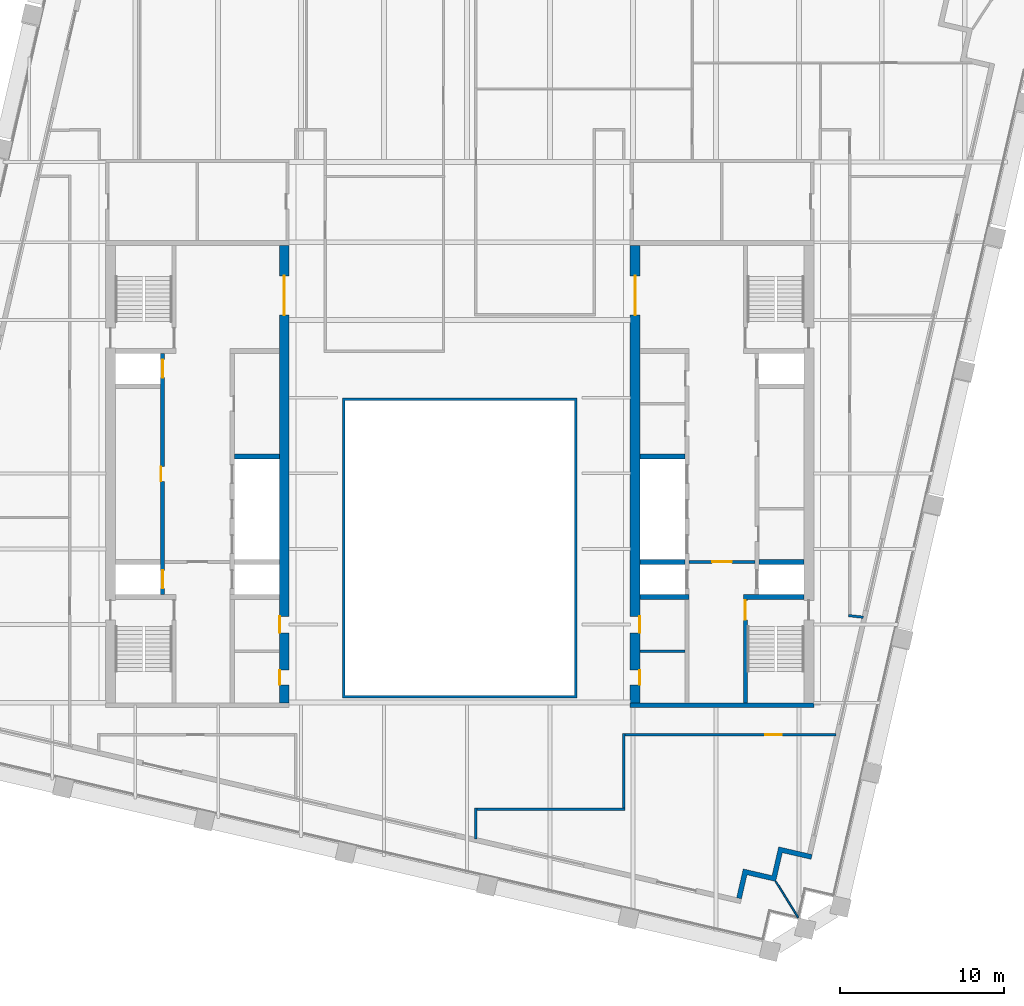
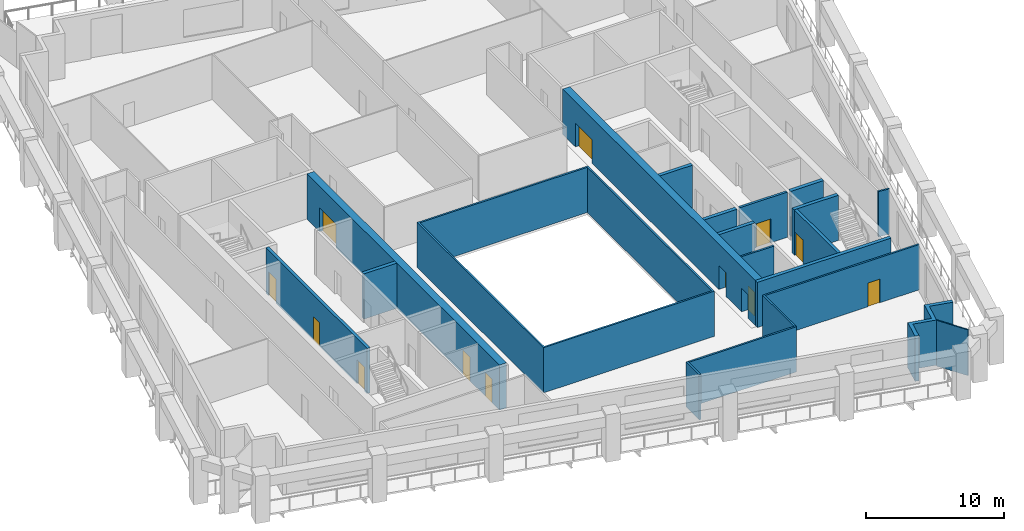
# One storey, part 4 of 10: 21 walls, 12 doors, 12 openings.
"""IFC4 building model written with IfcOpenShell, lengths in metres."""

from ifc_helpers import new_model, si_unit, direction, frame, frame_2d, origin, place, context, subcontext, project, spatial, polyline, rectangle, outline, extrude, material, layer, layer_set, type_object, element, fill, save


model = new_model("IFC4")

# Units and contexts
model_context = context("Model", 3, precision=1e-05, world=origin(), true_north=direction((0.0, 1.0)))
body_context = subcontext(model_context, "Body", "Model", "MODEL_VIEW")
ifc_project = project(units=[si_unit("LENGTHUNIT", "METRE"), si_unit("AREAUNIT", "SQUARE_METRE"), si_unit("VOLUMEUNIT", "CUBIC_METRE"), si_unit("PLANEANGLEUNIT", "RADIAN"), si_unit("MASSUNIT", "GRAM", prefix="KILO")], contexts=[model_context])

# Site, building, storey
site_placement = place(None, origin())
site = spatial("IfcSite", under=ifc_project, at=site_placement, CompositionType="ELEMENT")
building_placement = place(site_placement, origin())
building = spatial("IfcBuilding", under=site, at=building_placement, Name="Ogive Exchange Tower", CompositionType="ELEMENT")
storey_placement = place(building_placement, frame((0.0, 0.0, 280.800048828125)))
storey = spatial("IfcBuildingStorey", under=building, at=storey_placement, Name="L61", CompositionType="ELEMENT", Elevation=280.800048828125)

# Walls
ifc_material_1 = material(Name="Gypsum board partition")
ifc_layer_1 = layer(ifc_material_1, 0.14990234375)
ifc_layer_set_1 = layer_set([ifc_layer_1], Name="Core room partition 150 gypsum")
wall_type_1 = type_object("IfcWallType", Name="Core room partition 150 gypsum", PredefinedType="PARTITIONING", material=ifc_layer_set_1)
wall_1_placement = place(storey_placement, frame((11.0, 0.699951171875, 0.0), z_axis=(0.0, 0.0, 1.0), x_axis=(1.0, 0.0, 0.0)))
element("IfcWall", 1, at=wall_1_placement, inside=storey, type_object=wall_type_1, Name="E south room partition", PredefinedType="PARTITIONING", context=body_context, shape_type="SweptSolid", body=[
    extrude(rectangle(XDim=2.75, YDim=0.14990234375, at=frame_2d((1.375, 0.0))), origin(), (0.0, 0.0, 1.0), 4.0),
])
ifc_material_2 = material(Name="Fire partition EI 60 150")
ifc_layer_2 = layer(ifc_material_2, 0.14990234375)
ifc_layer_set_2 = layer_set([ifc_layer_2], Name="Fire partition EI 60 150")
wall_type_2 = type_object("IfcWallType", Name="Fire partition EI 60 150", PredefinedType="PARTITIONING", material=ifc_layer_set_2)
wall_2_placement = place(storey_placement, frame((0.989990234375, -8.864990234375, 0.0), z_axis=(0.0, 0.0, 1.0), x_axis=(0.0, -1.0, 0.0)))
element("IfcWall", 2, at=wall_2_placement, inside=storey, type_object=wall_type_2, Name="L61-PWL-027", PredefinedType="PARTITIONING", context=body_context, shape_type="SweptSolid", body=[
    extrude(rectangle(XDim=1.887939453125, YDim=0.14990234375, at=frame_2d((0.94384765625, 0.0))), origin(), (0.0, 0.0, 1.0), 4.0),
])
wall_3_placement = place(storey_placement, frame((10.074951171875, -8.93994140625, 0.0), z_axis=(0.0, 0.0, 1.0), x_axis=(-1.0, 0.0, 0.0)))
element("IfcWall", 3, at=wall_3_placement, inside=storey, type_object=wall_type_2, Name="L61-PWL-033", PredefinedType="PARTITIONING", context=body_context, shape_type="SweptSolid", body=[
    extrude(rectangle(XDim=9.010009765625, YDim=0.14990234375, at=frame_2d((4.5048828125, 0.0))), origin(), (0.0, 0.0, 1.0), 4.0),
])
wall_4_placement = place(storey_placement, frame((10.0, -4.324951171875, 0.0), z_axis=(0.0, 0.0, 1.0), x_axis=(0.0, -1.0, 0.0)))
element("IfcWall", 4, at=wall_4_placement, inside=storey, type_object=wall_type_2, Name="L61-PWL-034", PredefinedType="PARTITIONING", context=body_context, shape_type="SweptSolid", body=[
    extrude(rectangle(XDim=4.5400390625, YDim=0.14990234375, at=frame_2d((2.27001953125, 0.0))), origin(), (0.0, 0.0, 1.0), 4.0),
])

# Wall, opening, door
wall_5_placement = place(storey_placement, frame((22.968017578125, -4.39990234375, 0.0), z_axis=(0.0, 0.0, 1.0), x_axis=(-1.0, 0.0, 0.0)))
wall_5 = element("IfcWall", 5, at=wall_5_placement, inside=storey, type_object=wall_type_2, Name="L61-PWL-045", PredefinedType="PARTITIONING", context=body_context, shape_type="SweptSolid", body=[
    extrude(rectangle(XDim=12.89306640625, YDim=0.14990234375, at=frame_2d((6.446533203125, 0.0))), origin(), (0.0, 0.0, 1.0), 4.0),
])
opening_1_placement = place(wall_5_placement, frame((3.318115234375, 0.0, 0.0)))
opening_1 = element("IfcOpeningElement", 6, at=opening_1_placement, cuts=wall_5, Name="Opening L61-I01", PredefinedType="OPENING", context=body_context, shape_type="SweptSolid", body=[
    extrude(rectangle(XDim=1.0, YDim=2.10009765625, at=frame_2d((0.5, 1.050048828125))), frame((0.0, 0.0849609375, 0.0), z_axis=(0.0, -1.0, 0.0), x_axis=(1.0, 0.0, 0.0)), (0.0, 0.0, 1.0), 0.169921875),
])
ifc_material_3 = material(Name="Fire door FD 30S 1000 x 2100")
door_type_1 = type_object("IfcDoorType", Name="Fire door FD 30S 1000 x 2100", OperationType="NOTDEFINED", PredefinedType="DOOR", material=ifc_material_3)
door_1_placement = place(opening_1_placement, origin())
door_1 = element("IfcDoor", 7, at=door_1_placement, inside=storey, type_object=door_type_1, Name="L61-IDR-001", ObjectType="DT3", OperationType="SINGLE_SWING_RIGHT", OverallHeight=2.10009765625, OverallWidth=1.0, PredefinedType="DOOR", context=body_context, shape_type="SweptSolid", body=[
    extrude(rectangle(XDim=1.0, YDim=2.10009765625, at=frame_2d((0.5, 1.050048828125))), frame((0.0, 0.02490234375, 0.0), z_axis=(0.0, -1.0, 0.0), x_axis=(1.0, 0.0, 0.0)), (0.0, 0.0, 1.0), 0.050048828125),
])
fill(opening_1, door_1)

# Walls
wall_6_placement = place(storey_placement, frame((23.72509765625, 2.868896484375, 0.0), z_axis=(0.0, 0.0, 1.0), x_axis=(0.993330469257, -0.115302119865, 0.0)))
element("IfcWall", 8, at=wall_6_placement, inside=storey, type_object=wall_type_2, Name="L61-PWL-046", PredefinedType="PARTITIONING", context=body_context, shape_type="SweptSolid", body=[
    extrude(rectangle(XDim=0.902099609375, YDim=0.14990234375, at=frame_2d((0.451171875, 0.0))), origin(), (0.0, 0.0, 1.0), 4.0),
])
ifc_material_4 = material(Name="Fire-resisting glass in steel frame", Category="steel")
ifc_layer_3 = layer(ifc_material_4, 0.14990234375)
ifc_layer_set_3 = layer_set([ifc_layer_3], Name="Fire-rated glazed wall 150")
wall_type_3 = type_object("IfcWallType", Name="Fire-rated glazed wall 150", PredefinedType="STANDARD", material=ifc_layer_set_3)
wall_7_placement = place(storey_placement, origin())
element("IfcWall", 9, at=wall_7_placement, inside=storey, type_object=wall_type_3, Name="Nave enclosure wall", PredefinedType="STANDARD", context=body_context, shape_type="SweptSolid", body=[
    extrude(outline(polyline([(-7.14990234375, -2.14990234375), (7.14990234375, -2.14990234375), (7.14990234375, 16.14990234375), (-7.14990234375, 16.14990234375), (-7.14990234375, -2.14990234375)]), holes=[polyline([(-7.0, -2.0), (-7.0, 16.0), (7.0, 16.0), (7.0, -2.0), (-7.0, -2.0)])]), origin(), (0.0, 0.0, 1.0), 4.0),
])
ifc_material_5 = material(Name="Precast concrete C40/50", Category="concrete")
ifc_layer_4 = layer(ifc_material_5, 0.300048828125)
ifc_layer_set_4 = layer_set([ifc_layer_4], Name="Limestone-faced wall 300")
wall_type_4 = type_object("IfcWallType", Name="Limestone-faced wall 300", PredefinedType="STANDARD", material=ifc_layer_set_4)
wall_8_placement = place(storey_placement, origin())
element("IfcWall", 10, at=wall_8_placement, inside=storey, type_object=wall_type_4, Name="External corner wall C1", PredefinedType="STANDARD", context=body_context, shape_type="SweptSolid", body=[
    extrude(outline(polyline([(19.053955078125, -12.993408203125), (19.458740234375, -11.239501953125), (21.5048828125, -11.7119140625), (21.4375, -12.004150390625), (19.68359375, -11.599365234375), (19.27880859375, -13.353271484375), (17.52490234375, -12.9482421875), (17.1875, -14.409912109375), (16.89501953125, -14.34228515625), (17.300048828125, -12.58837890625), (19.053955078125, -12.993408203125)])), origin(), (0.0, 0.0, 1.0), 4.0),
])
ifc_material_6 = material(Name="Laminated safety glass in steel frame", Category="steel")
ifc_layer_5 = layer(ifc_material_6, 0.10009765625)
ifc_layer_set_5 = layer_set([ifc_layer_5], Name="Loggia end screen 100")
wall_type_5 = type_object("IfcWallType", Name="Loggia end screen 100", PredefinedType="STANDARD", material=ifc_layer_set_5)
wall_9_placement = place(storey_placement, frame((19.27880859375, -13.353271484375, -0.050048828125), z_axis=(0.0, 0.0, 1.0), x_axis=(0.529914407191, -0.848051131154, 0.0)))
element("IfcWall", 11, at=wall_9_placement, inside=storey, type_object=wall_type_5, Name="Loggia end screen C1", PredefinedType="STANDARD", context=body_context, shape_type="SweptSolid", body=[
    extrude(rectangle(XDim=2.59619140625, YDim=0.10009765625, at=frame_2d((1.298095703125, 0.0))), origin(), (0.0, 0.0, 1.0), 4.050048828125),
])

# Wall, opening, door
ifc_material_7 = material(Name="Concrete C70/85", Category="concrete")
ifc_layer_6 = layer(ifc_material_7, 0.199951171875)
ifc_layer_set_6 = layer_set([ifc_layer_6], Name="RC core wall 200 C70/85")
wall_type_6 = type_object("IfcWallType", Name="RC core wall 200 C70/85", PredefinedType="SHEAR", material=ifc_layer_set_6)
wall_10_placement = place(storey_placement, frame((14.0, 6.142822265625, 0.0), z_axis=(0.0, 0.0, 1.0), x_axis=(1.0, 0.0, 0.0)))
wall_10 = element("IfcWall", 12, at=wall_10_placement, inside=storey, type_object=wall_type_6, Name="E firefighting lobby wall", PredefinedType="SHEAR", context=body_context, shape_type="SweptSolid", body=[
    extrude(rectangle(XDim=4.0, YDim=0.199951171875, at=frame_2d((2.0, 0.0))), origin(), (0.0, 0.0, 1.0), 4.0),
])
opening_2_placement = place(wall_10_placement, frame((1.39990234375, 0.0, 0.0)))
opening_2 = element("IfcOpeningElement", 13, at=opening_2_placement, cuts=wall_10, Name="Opening L61-C29", PredefinedType="OPENING", context=body_context, shape_type="SweptSolid", body=[
    extrude(rectangle(XDim=1.199951171875, YDim=2.10009765625, at=frame_2d((0.60009765625, 1.050048828125))), frame((0.0, 0.10986328125, 0.0), z_axis=(0.0, -1.0, 0.0), x_axis=(1.0, 0.0, 0.0)), (0.0, 0.0, 1.0), 0.219970703125),
])
ifc_material_8 = material(Name="Steel fire door", Category="steel")
door_type_2 = type_object("IfcDoorType", Name="Firefighting lobby door FD60 1200 x 2100", OperationType="NOTDEFINED", PredefinedType="DOOR", material=ifc_material_8)
door_2_placement = place(opening_2_placement, frame((1.199951171875, 0.0, 0.0), z_axis=(0.0, 0.0, 1.0), x_axis=(-1.0, 0.0, 0.0)))
door_2 = element("IfcDoor", 14, at=door_2_placement, inside=storey, type_object=door_type_2, Name="Firefighting lobby door", ObjectType="CD3", OperationType="SINGLE_SWING_LEFT", OverallHeight=2.10009765625, OverallWidth=1.199951171875, PredefinedType="DOOR", context=body_context, shape_type="SweptSolid", body=[
    extrude(rectangle(XDim=1.199951171875, YDim=2.10009765625, at=frame_2d((0.60009765625, 1.050048828125))), frame((0.0, 0.02490234375, 0.0), z_axis=(0.0, -1.0, 0.0), x_axis=(1.0, 0.0, 0.0)), (0.0, 0.0, 1.0), 0.050048828125),
])
fill(opening_2, door_2)

# Wall, openings, doors
ifc_layer_7 = layer(ifc_material_7, 0.25)
ifc_layer_set_7 = layer_set([ifc_layer_7], Name="RC core wall 250 C70/85")
wall_type_7 = type_object("IfcWallType", Name="RC core wall 250 C70/85", PredefinedType="SHEAR", material=ifc_layer_set_7)
wall_11_placement = place(storey_placement, frame((-18.125, 4.14990234375, 0.0), z_axis=(0.0, 0.0, 1.0), x_axis=(0.0, 1.0, 0.0)))
wall_11 = element("IfcWall", 15, at=wall_11_placement, inside=storey, type_object=wall_type_7, Name="W row A front wall", PredefinedType="SHEAR", context=body_context, shape_type="SweptSolid", body=[
    extrude(rectangle(XDim=14.7001953125, YDim=0.25, at=frame_2d((7.35009765625, 0.0))), origin(), (0.0, 0.0, 1.0), 4.0),
])
opening_3_placement = place(wall_11_placement, frame((6.89990234375, 0.0, 0.0)))
opening_3 = element("IfcOpeningElement", 16, at=opening_3_placement, cuts=wall_11, Name="Opening L61-C01", PredefinedType="OPENING", context=body_context, shape_type="SweptSolid", body=[
    extrude(rectangle(XDim=0.89990234375, YDim=2.10009765625, at=frame_2d((0.449951171875, 1.050048828125))), frame((0.0, 0.135009765625, 0.0), z_axis=(0.0, -1.0, 0.0), x_axis=(1.0, 0.0, 0.0)), (0.0, 0.0, 1.0), 0.27001953125),
])
opening_4_placement = place(wall_11_placement, frame((0.371337890625, 0.0, 0.0)))
opening_4 = element("IfcOpeningElement", 17, at=opening_4_placement, cuts=wall_11, Name="Opening L61-C02", PredefinedType="OPENING", context=body_context, shape_type="SweptSolid", body=[
    extrude(rectangle(XDim=1.10009765625, YDim=2.10009765625, at=frame_2d((0.550048828125, 1.050048828125))), frame((0.0, 0.135009765625, 0.0), z_axis=(0.0, -1.0, 0.0), x_axis=(1.0, 0.0, 0.0)), (0.0, 0.0, 1.0), 0.27001953125),
])
opening_5_placement = place(wall_11_placement, frame((13.228515625, 0.0, 0.0)))
opening_5 = element("IfcOpeningElement", 18, at=opening_5_placement, cuts=wall_11, Name="Opening L61-C03", PredefinedType="OPENING", context=body_context, shape_type="SweptSolid", body=[
    extrude(rectangle(XDim=1.10009765625, YDim=2.10009765625, at=frame_2d((0.550048828125, 1.050048828125))), frame((0.0, 0.135009765625, 0.0), z_axis=(0.0, -1.0, 0.0), x_axis=(1.0, 0.0, 0.0)), (0.0, 0.0, 1.0), 0.27001953125),
])
ifc_material_9 = material(Name="Timber fire door", Category="wood")
door_type_3 = type_object("IfcDoorType", Name="Core room door FD30S 900 x 2100", OperationType="NOTDEFINED", PredefinedType="DOOR", material=ifc_material_9)
door_3_placement = place(opening_3_placement, origin())
door_3 = element("IfcDoor", 19, at=door_3_placement, inside=storey, type_object=door_type_3, Name="Core room door", ObjectType="CD6", OperationType="SINGLE_SWING_RIGHT", OverallHeight=2.10009765625, OverallWidth=0.89990234375, PredefinedType="DOOR", context=body_context, shape_type="SweptSolid", body=[
    extrude(rectangle(XDim=0.89990234375, YDim=2.10009765625, at=frame_2d((0.449951171875, 1.050048828125))), frame((0.0, 0.125, 0.0), z_axis=(0.0, -1.0, 0.0), x_axis=(1.0, 0.0, 0.0)), (0.0, 0.0, 1.0), 0.050048828125),
])
fill(opening_3, door_3)
ifc_material_10 = material(Name="Stainless steel", Category="steel")
door_type_4 = type_object("IfcDoorType", Name="Lift landing door FD90 1100 x 2100", OperationType="SLIDING_TO_LEFT", PredefinedType="DOOR", material=ifc_material_10)
door_4_placement = place(opening_4_placement, origin())
door_4 = element("IfcDoor", 20, at=door_4_placement, inside=storey, type_object=door_type_4, Name="Lift landing door FF1", ObjectType="LD", OperationType="SLIDING_TO_LEFT", OverallHeight=2.10009765625, OverallWidth=1.10009765625, PredefinedType="DOOR", context=body_context, shape_type="SweptSolid", body=[
    extrude(rectangle(XDim=1.10009765625, YDim=2.10009765625, at=frame_2d((0.550048828125, 1.050048828125))), frame((0.0, 0.02490234375, 0.0), z_axis=(0.0, -1.0, 0.0), x_axis=(1.0, 0.0, 0.0)), (0.0, 0.0, 1.0), 0.050048828125),
])
fill(opening_4, door_4)
door_5_placement = place(opening_5_placement, origin())
door_5 = element("IfcDoor", 21, at=door_5_placement, inside=storey, type_object=door_type_4, Name="Lift landing door W-SH2", ObjectType="LD", OperationType="SLIDING_TO_LEFT", OverallHeight=2.10009765625, OverallWidth=1.10009765625, PredefinedType="DOOR", context=body_context, shape_type="SweptSolid", body=[
    extrude(rectangle(XDim=1.10009765625, YDim=2.10009765625, at=frame_2d((0.550048828125, 1.050048828125))), frame((0.0, 0.02490234375, 0.0), z_axis=(0.0, -1.0, 0.0), x_axis=(1.0, 0.0, 0.0)), (0.0, 0.0, 1.0), 0.050048828125),
])
fill(opening_5, door_5)

# Wall, opening, door
wall_12_placement = place(storey_placement, frame((17.425048828125, -2.449951171875, 0.0), z_axis=(0.0, 0.0, 1.0), x_axis=(0.0, 1.0, 0.0)))
wall_12 = element("IfcWall", 22, at=wall_12_placement, inside=storey, type_object=wall_type_7, Name="E stair S front wall", PredefinedType="SHEAR", context=body_context, shape_type="SweptSolid", body=[
    extrude(rectangle(XDim=6.300048828125, YDim=0.25, at=frame_2d((3.14990234375, 0.0))), origin(), (0.0, 0.0, 1.0), 4.0),
])
opening_6_placement = place(wall_12_placement, frame((5.050048828125, 0.0, 0.0)))
opening_6 = element("IfcOpeningElement", 23, at=opening_6_placement, cuts=wall_12, Name="Opening L61-C31", PredefinedType="OPENING", context=body_context, shape_type="SweptSolid", body=[
    extrude(rectangle(XDim=1.199951171875, YDim=2.10009765625, at=frame_2d((0.60009765625, 1.050048828125))), frame((0.0, 0.135009765625, 0.0), z_axis=(0.0, -1.0, 0.0), x_axis=(1.0, 0.0, 0.0)), (0.0, 0.0, 1.0), 0.27001953125),
])
door_type_5 = type_object("IfcDoorType", Name="Stair door FD90 1200 x 2100", OperationType="NOTDEFINED", PredefinedType="DOOR", material=ifc_material_8)
door_6_placement = place(opening_6_placement, frame((1.199951171875, 0.0, 0.0), z_axis=(0.0, 0.0, 1.0), x_axis=(-1.0, 0.0, 0.0)))
door_6 = element("IfcDoor", 24, at=door_6_placement, inside=storey, type_object=door_type_5, Name="Stair door", ObjectType="CD5", OperationType="SINGLE_SWING_RIGHT", OverallHeight=2.10009765625, OverallWidth=1.199951171875, PredefinedType="DOOR", context=body_context, shape_type="SweptSolid", body=[
    extrude(rectangle(XDim=1.199951171875, YDim=2.10009765625, at=frame_2d((0.60009765625, 1.050048828125))), frame((0.0, 0.02490234375, 0.0), z_axis=(0.0, -1.0, 0.0), x_axis=(1.0, 0.0, 0.0)), (0.0, 0.0, 1.0), 0.050048828125),
])
fill(opening_6, door_6)

# Walls
ifc_layer_8 = layer(ifc_material_7, 0.300048828125)
ifc_layer_set_8 = layer_set([ifc_layer_8], Name="RC core wall 300 C70/85")
wall_type_8 = type_object("IfcWallType", Name="RC core wall 300 C70/85", PredefinedType="SHEAR", material=ifc_layer_set_8)
wall_13_placement = place(storey_placement, frame((-13.75, 12.5712890625, 0.0), z_axis=(0.0, 0.0, 1.0), x_axis=(1.0, 0.0, 0.0)))
element("IfcWall", 25, at=wall_13_placement, inside=storey, type_object=wall_type_8, Name="W row B divider 4", PredefinedType="SHEAR", context=body_context, shape_type="SweptSolid", body=[
    extrude(rectangle(XDim=2.75, YDim=0.300048828125, at=frame_2d((1.375, 0.0))), origin(), (0.0, 0.0, 1.0), 4.0),
])
wall_14_placement = place(storey_placement, frame((10.39990234375, -2.60009765625, 0.0), z_axis=(0.0, 0.0, 1.0), x_axis=(1.0, 0.0, 0.0)))
element("IfcWall", 26, at=wall_14_placement, inside=storey, type_object=wall_type_8, Name="E south end wall", PredefinedType="SHEAR", context=body_context, shape_type="SweptSolid", body=[
    extrude(rectangle(XDim=11.2001953125, YDim=0.300048828125, at=frame_2d((5.60009765625, 0.0))), origin(), (0.0, 0.0, 1.0), 4.0),
])
wall_15_placement = place(storey_placement, frame((17.300048828125, 4.0, 0.0), z_axis=(0.0, 0.0, 1.0), x_axis=(1.0, 0.0, 0.0)))
element("IfcWall", 27, at=wall_15_placement, inside=storey, type_object=wall_type_8, Name="E stair S north wall", PredefinedType="SHEAR", context=body_context, shape_type="SweptSolid", body=[
    extrude(rectangle(XDim=3.699951171875, YDim=0.300048828125, at=frame_2d((1.85009765625, 0.0))), origin(), (0.0, 0.0, 1.0), 4.0),
])
wall_16_placement = place(storey_placement, frame((18.25, 6.142822265625, 0.0), z_axis=(0.0, 0.0, 1.0), x_axis=(1.0, 0.0, 0.0)))
element("IfcWall", 28, at=wall_16_placement, inside=storey, type_object=wall_type_8, Name="E row A divider 1", PredefinedType="SHEAR", context=body_context, shape_type="SweptSolid", body=[
    extrude(rectangle(XDim=2.75, YDim=0.300048828125, at=frame_2d((1.375, 0.0))), origin(), (0.0, 0.0, 1.0), 4.0),
])
wall_17_placement = place(storey_placement, frame((11.0, 4.0, 0.0), z_axis=(0.0, 0.0, 1.0), x_axis=(1.0, 0.0, 0.0)))
element("IfcWall", 29, at=wall_17_placement, inside=storey, type_object=wall_type_8, Name="E row B divider 0", PredefinedType="SHEAR", context=body_context, shape_type="SweptSolid", body=[
    extrude(rectangle(XDim=3.0, YDim=0.300048828125, at=frame_2d((1.5, 0.0))), origin(), (0.0, 0.0, 1.0), 4.0),
])
for number, where, z_axis, x_axis, name in (
    (30, (11.0, 6.142822265625, 0.0), (0.0, 0.0, 1.0), (1.0, 0.0, 0.0), "E row B divider 1"),
    (31, (11.0, 12.5712890625, 0.0), (0.0, 0.0, 1.0), (1.0, 0.0, 0.0), "E row B divider 4"),
):
    element("IfcWall", number, at=place(storey_placement, frame(where, z_axis=z_axis, x_axis=x_axis)), inside=storey, type_object=wall_type_8, Name=name, PredefinedType="SHEAR", context=body_context, shape_type="SweptSolid", body=[
        extrude(rectangle(XDim=2.75, YDim=0.300048828125, at=frame_2d((1.375, 0.0))), origin(), (0.0, 0.0, 1.0), 4.0),
    ])

# Wall, openings, doors
ifc_layer_9 = layer(ifc_material_7, 0.60009765625)
ifc_layer_set_9 = layer_set([ifc_layer_9], Name="RC core wall 600 C70/85")
wall_type_9 = type_object("IfcWallType", Name="RC core wall 600 C70/85", PredefinedType="SHEAR", material=ifc_layer_set_9)
wall_18_placement = place(storey_placement, frame((-10.699951171875, -2.449951171875, 0.0), z_axis=(0.0, 0.0, 1.0), x_axis=(0.0, 1.0, 0.0)))
wall_18 = element("IfcWall", 32, at=wall_18_placement, inside=storey, type_object=wall_type_9, Name="W inner wall", PredefinedType="SHEAR", context=body_context, shape_type="SweptSolid", body=[
    extrude(rectangle(XDim=27.89990234375, YDim=0.60009765625, at=frame_2d((13.949951171875, 0.0))), origin(), (0.0, 0.0, 1.0), 4.0),
])
opening_7_placement = place(wall_18_placement, frame((23.64990234375, 0.0, 0.0)))
opening_7 = element("IfcOpeningElement", 33, at=opening_7_placement, cuts=wall_18, Name="Opening L61-C10", PredefinedType="OPENING", context=body_context, shape_type="SweptSolid", body=[
    extrude(rectangle(XDim=2.39990234375, YDim=2.10009765625, at=frame_2d((1.199951171875, 1.050048828125))), frame((0.0, 0.31005859375, 0.0), z_axis=(0.0, -1.0, 0.0), x_axis=(1.0, 0.0, 0.0)), (0.0, 0.0, 1.0), 0.6201171875),
])
opening_8_placement = place(wall_18_placement, frame((1.08740234375, 0.0, 0.0)))
opening_8 = element("IfcOpeningElement", 34, at=opening_8_placement, cuts=wall_18, Name="Opening L61-C15", PredefinedType="OPENING", context=body_context, shape_type="SweptSolid", body=[
    extrude(rectangle(XDim=0.89990234375, YDim=2.10009765625, at=frame_2d((0.449951171875, 1.050048828125))), frame((0.0, 0.31005859375, 0.0), z_axis=(0.0, -1.0, 0.0), x_axis=(1.0, 0.0, 0.0)), (0.0, 0.0, 1.0), 0.6201171875),
])
opening_9_placement = place(wall_18_placement, frame((4.262451171875, 0.0, 0.0)))
opening_9 = element("IfcOpeningElement", 35, at=opening_9_placement, cuts=wall_18, Name="Opening L61-C16", PredefinedType="OPENING", context=body_context, shape_type="SweptSolid", body=[
    extrude(rectangle(XDim=1.0, YDim=2.10009765625, at=frame_2d((0.5, 1.050048828125))), frame((0.0, 0.31005859375, 0.0), z_axis=(0.0, -1.0, 0.0), x_axis=(1.0, 0.0, 0.0)), (0.0, 0.0, 1.0), 0.6201171875),
])
door_type_6 = type_object("IfcDoorType", Name="Accessible WC door FD30S 1000 x 2100", OperationType="NOTDEFINED", PredefinedType="DOOR", material=ifc_material_9)
door_7_placement = place(opening_9_placement, frame((1.0, 0.5498046875, 0.0), z_axis=(0.0, 0.0, 1.0), x_axis=(-1.0, 0.0, 0.0)))
door_7 = element("IfcDoor", 36, at=door_7_placement, inside=storey, type_object=door_type_6, Name="Accessible WC door", ObjectType="CD7", OperationType="SINGLE_SWING_LEFT", OverallHeight=2.10009765625, OverallWidth=1.0, PredefinedType="DOOR", context=body_context, shape_type="SweptSolid", body=[
    extrude(rectangle(XDim=1.0, YDim=2.10009765625, at=frame_2d((0.5, 1.050048828125))), frame((0.0, 0.2998046875, 0.0), z_axis=(0.0, -1.0, 0.0), x_axis=(1.0, 0.0, 0.0)), (0.0, 0.0, 1.0), 0.050048828125),
])
fill(opening_9, door_7)
door_8_placement = place(opening_8_placement, frame((0.89990234375, 0.5498046875, 0.0), z_axis=(0.0, 0.0, 1.0), x_axis=(-1.0, 0.0, 0.0)))
door_8 = element("IfcDoor", 37, at=door_8_placement, inside=storey, type_object=door_type_3, Name="Core room door", ObjectType="CD6", OperationType="SINGLE_SWING_LEFT", OverallHeight=2.10009765625, OverallWidth=0.89990234375, PredefinedType="DOOR", context=body_context, shape_type="SweptSolid", body=[
    extrude(rectangle(XDim=0.89990234375, YDim=2.10009765625, at=frame_2d((0.449951171875, 1.050048828125))), frame((0.0, 0.2998046875, 0.0), z_axis=(0.0, -1.0, 0.0), x_axis=(1.0, 0.0, 0.0)), (0.0, 0.0, 1.0), 0.050048828125),
])
fill(opening_8, door_8)
ifc_material_11 = material(Name="Glazed steel fire door", Category="steel")
door_type_7 = type_object("IfcDoorType", Name="Lift lobby double door FD60 2400 x 2100", OperationType="DOUBLE_DOOR_SINGLE_SWING", PredefinedType="DOOR", material=ifc_material_11)
door_9_placement = place(opening_7_placement, frame((2.39990234375, 0.0, 0.0), z_axis=(0.0, 0.0, 1.0), x_axis=(-1.0, 0.0, 0.0)))
door_9 = element("IfcDoor", 38, at=door_9_placement, inside=storey, type_object=door_type_7, Name="Lift lobby double door", ObjectType="CD4", OperationType="DOUBLE_DOOR_SINGLE_SWING", OverallHeight=2.10009765625, OverallWidth=2.39990234375, PredefinedType="DOOR", context=body_context, shape_type="SweptSolid", body=[
    extrude(rectangle(XDim=2.39990234375, YDim=2.10009765625, at=frame_2d((1.199951171875, 1.050048828125))), frame((0.0, 0.02490234375, 0.0), z_axis=(0.0, -1.0, 0.0), x_axis=(1.0, 0.0, 0.0)), (0.0, 0.0, 1.0), 0.050048828125),
])
fill(opening_7, door_9)

wall_19_placement = place(storey_placement, frame((10.699951171875, -2.449951171875, 0.0), z_axis=(0.0, 0.0, 1.0), x_axis=(0.0, 1.0, 0.0)))
wall_19 = element("IfcWall", 39, at=wall_19_placement, inside=storey, type_object=wall_type_9, Name="E inner wall", PredefinedType="SHEAR", context=body_context, shape_type="SweptSolid", body=[
    extrude(rectangle(XDim=27.89990234375, YDim=0.60009765625, at=frame_2d((13.949951171875, 0.0))), origin(), (0.0, 0.0, 1.0), 4.0),
])
opening_10_placement = place(wall_19_placement, frame((23.64990234375, 0.0, 0.0)))
opening_10 = element("IfcOpeningElement", 40, at=opening_10_placement, cuts=wall_19, Name="Opening L61-C30", PredefinedType="OPENING", context=body_context, shape_type="SweptSolid", body=[
    extrude(rectangle(XDim=2.39990234375, YDim=2.10009765625, at=frame_2d((1.199951171875, 1.050048828125))), frame((0.0, 0.31005859375, 0.0), z_axis=(0.0, -1.0, 0.0), x_axis=(1.0, 0.0, 0.0)), (0.0, 0.0, 1.0), 0.6201171875),
])
opening_11_placement = place(wall_19_placement, frame((1.08740234375, 0.0, 0.0)))
opening_11 = element("IfcOpeningElement", 41, at=opening_11_placement, cuts=wall_19, Name="Opening L61-C35", PredefinedType="OPENING", context=body_context, shape_type="SweptSolid", body=[
    extrude(rectangle(XDim=0.89990234375, YDim=2.10009765625, at=frame_2d((0.449951171875, 1.050048828125))), frame((0.0, 0.31005859375, 0.0), z_axis=(0.0, -1.0, 0.0), x_axis=(1.0, 0.0, 0.0)), (0.0, 0.0, 1.0), 0.6201171875),
])
opening_12_placement = place(wall_19_placement, frame((4.262451171875, 0.0, 0.0)))
opening_12 = element("IfcOpeningElement", 42, at=opening_12_placement, cuts=wall_19, Name="Opening L61-C36", PredefinedType="OPENING", context=body_context, shape_type="SweptSolid", body=[
    extrude(rectangle(XDim=1.0, YDim=2.10009765625, at=frame_2d((0.5, 1.050048828125))), frame((0.0, 0.31005859375, 0.0), z_axis=(0.0, -1.0, 0.0), x_axis=(1.0, 0.0, 0.0)), (0.0, 0.0, 1.0), 0.6201171875),
])
door_10_placement = place(opening_12_placement, origin())
door_10 = element("IfcDoor", 43, at=door_10_placement, inside=storey, type_object=door_type_6, Name="Accessible WC door", ObjectType="CD7", OperationType="SINGLE_SWING_RIGHT", OverallHeight=2.10009765625, OverallWidth=1.0, PredefinedType="DOOR", context=body_context, shape_type="SweptSolid", body=[
    extrude(rectangle(XDim=1.0, YDim=2.10009765625, at=frame_2d((0.5, 1.050048828125))), frame((0.0, -0.25, 0.0), z_axis=(0.0, -1.0, 0.0), x_axis=(1.0, 0.0, 0.0)), (0.0, 0.0, 1.0), 0.050048828125),
])
fill(opening_12, door_10)
door_11_placement = place(opening_11_placement, origin())
door_11 = element("IfcDoor", 44, at=door_11_placement, inside=storey, type_object=door_type_3, Name="Core room door", ObjectType="CD6", OperationType="SINGLE_SWING_RIGHT", OverallHeight=2.10009765625, OverallWidth=0.89990234375, PredefinedType="DOOR", context=body_context, shape_type="SweptSolid", body=[
    extrude(rectangle(XDim=0.89990234375, YDim=2.10009765625, at=frame_2d((0.449951171875, 1.050048828125))), frame((0.0, -0.25, 0.0), z_axis=(0.0, -1.0, 0.0), x_axis=(1.0, 0.0, 0.0)), (0.0, 0.0, 1.0), 0.050048828125),
])
fill(opening_11, door_11)
door_12_placement = place(opening_10_placement, origin())
door_12 = element("IfcDoor", 45, at=door_12_placement, inside=storey, type_object=door_type_7, Name="Lift lobby double door", ObjectType="CD4", OperationType="DOUBLE_DOOR_SINGLE_SWING", OverallHeight=2.10009765625, OverallWidth=2.39990234375, PredefinedType="DOOR", context=body_context, shape_type="SweptSolid", body=[
    extrude(rectangle(XDim=2.39990234375, YDim=2.10009765625, at=frame_2d((1.199951171875, 1.050048828125))), frame((0.0, 0.02490234375, 0.0), z_axis=(0.0, -1.0, 0.0), x_axis=(1.0, 0.0, 0.0)), (0.0, 0.0, 1.0), 0.050048828125),
])
fill(opening_10, door_12)

save(model, "model.ifc")
